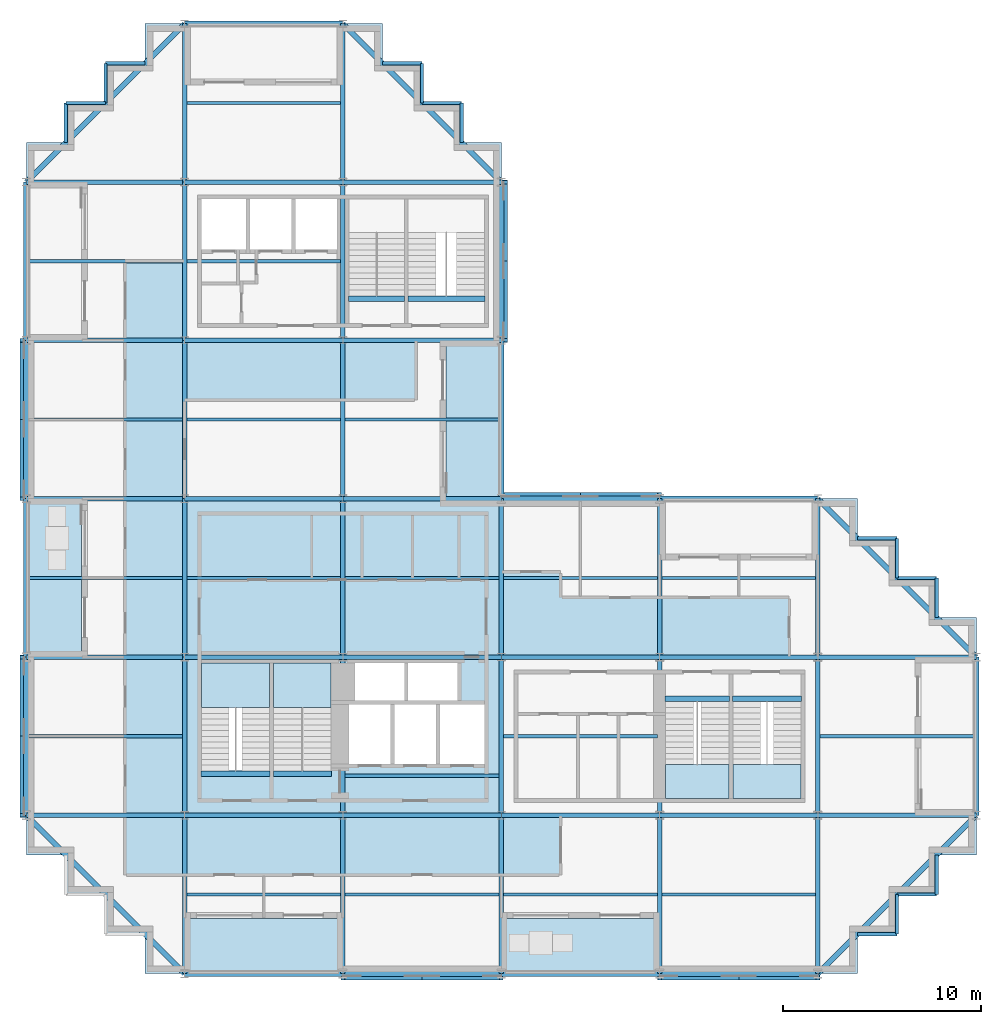
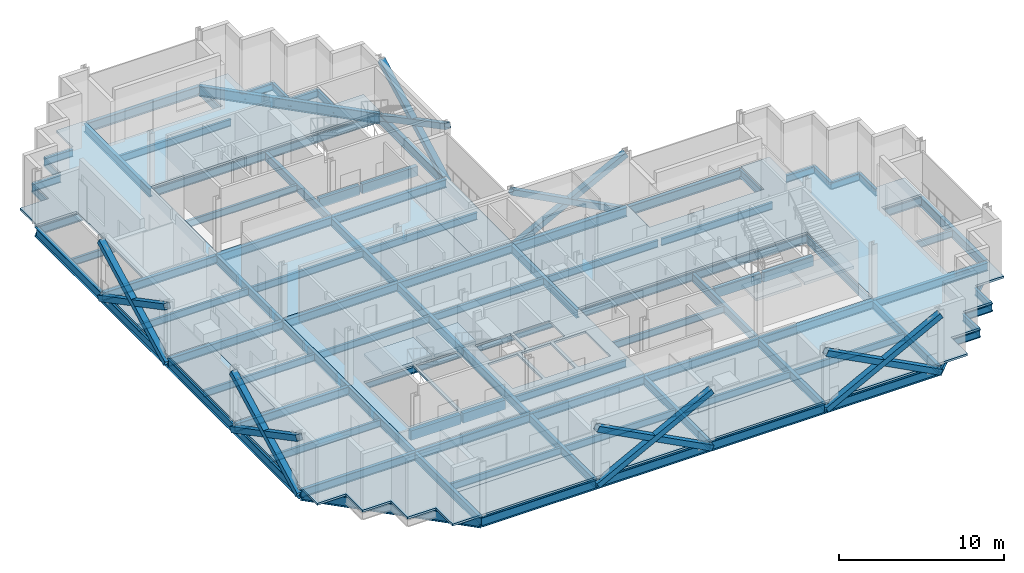
# One storey, part 3 of 12: 102 beams, 12 members, 10 slabs, 4 elements without a shape of their own.
"""IFC4 building model written with IfcOpenShell, lengths in metres."""

from ifc_helpers import new_model, si_unit, direction, frame, origin, origin_2d, place, context, subcontext, project, spatial, polyline, rectangle, hollow_rectangle, i_section, outline, extrude, material, layer, layer_set, material_profile, profile_set, type_object, element, aggregate, save


model = new_model("IFC4")

# Units and contexts
model_context = context("Model", 3, precision=1e-05, world=origin(), true_north=direction((0.0, 1.0)))
body_context = subcontext(model_context, "Body", "Model", "MODEL_VIEW")
ifc_project = project(units=[si_unit("LENGTHUNIT", "METRE"), si_unit("AREAUNIT", "SQUARE_METRE"), si_unit("VOLUMEUNIT", "CUBIC_METRE"), si_unit("PLANEANGLEUNIT", "RADIAN"), si_unit("MASSUNIT", "GRAM", prefix="KILO")], contexts=[model_context])

# Site, building, storey
site_placement = place(None, origin())
site = spatial("IfcSite", under=ifc_project, at=site_placement, CompositionType="ELEMENT")
building_placement = place(site_placement, origin())
building = spatial("IfcBuilding", under=site, at=building_placement, Name="Immortelle Media Tower", CompositionType="ELEMENT")
storey_placement = place(building_placement, frame((0.0, 0.0, 136.800048828125)))
storey = spatial("IfcBuildingStorey", under=building, at=storey_placement, Name="L27", CompositionType="ELEMENT", Elevation=136.800048828125)

# Members
ifc_material_1 = material(Name="Steel ASTM A500 Gr C", Category="steel")
ifc_material_profile_1 = material_profile(ifc_material_1, hollow_rectangle(XDim=0.406005859375, YDim=0.406005859375, WallThickness=0.011962890625, at=origin_2d()), Name="HSS16x16x1/2 brace")
ifc_profile_set_1 = profile_set([ifc_material_profile_1], Name="Steel ASTM A500 Gr C")
member_type = type_object("IfcMemberType", Name="HSS16x16x1/2 brace", PredefinedType="BRACE", material=ifc_profile_set_1)
for number, where, z_axis, x_axis, name in (
    (1, (16.0, -0.113037109375, -0.49658203125), (0.885400126936, 0.0, 0.464829662588), (0.0, 1.0, 0.0), "Brace A/3-4 A"),
    (2, (16.0, -0.113037109375, 3.703369140625), (0.885400126936, 0.0, -0.464829662588), (0.0, 1.0, 0.0), "Brace A/3-4 B"),
    (3, (32.0, -0.113037109375, -0.49658203125), (0.885400126936, 0.0, 0.464829662588), (0.0, 1.0, 0.0), "Brace A/5-6 A"),
    (4, (32.0, -0.113037109375, 3.703369140625), (0.885400126936, 0.0, -0.464829662588), (0.0, 1.0, 0.0), "Brace A/5-6 B"),
    (5, (32.0, 24.113037109375, -0.49658203125), (-0.885400126936, 0.0, 0.464829662588), (0.0, -1.0, 0.0), "Brace D/4-5 A"),
    (6, (32.0, 24.113037109375, 3.703369140625), (-0.885400126936, 0.0, -0.464829662588), (0.0, -1.0, 0.0), "Brace D/4-5 B"),
    (7, (24.113037109375, 32.0, -0.49658203125), (0.0, 0.885400126936, 0.464829662588), (-1.0, 0.0, 0.0), "Brace 4/E-F A"),
    (8, (24.113037109375, 32.0, 3.703369140625), (0.0, 0.885400126936, -0.464829662588), (-1.0, 0.0, 0.0), "Brace 4/E-F B"),
    (9, (-0.113037109375, 32.0, -0.49658203125), (0.0, -0.885400126936, 0.464829662588), (1.0, 0.0, 0.0), "Brace 1/D-E A"),
    (10, (-0.113037109375, 32.0, 3.703369140625), (0.0, -0.885400126936, -0.464829662588), (1.0, 0.0, 0.0), "Brace 1/D-E B"),
    (11, (-0.113037109375, 16.0, -0.49658203125), (0.0, -0.885400126936, 0.464829662588), (1.0, 0.0, 0.0), "Brace 1/B-C A"),
    (12, (-0.113037109375, 16.0, 3.703369140625), (0.0, -0.885400126936, -0.464829662588), (1.0, 0.0, 0.0), "Brace 1/B-C B"),
):
    element("IfcMember", number, at=place(storey_placement, frame(where, z_axis=z_axis, x_axis=x_axis)), inside=storey, type_object=member_type, Name=name, PredefinedType="BRACE", context=body_context, shape_type="SweptSolid", body=[
        extrude(hollow_rectangle(XDim=0.406005859375, YDim=0.406005859375, WallThickness=0.011962890625, at=origin_2d()), origin(), (0.0, 0.0, 1.0), 9.035400390625),
    ])

# Beams
ifc_material_2 = material(Name="Concrete C50/60", Category="concrete")
ifc_material_profile_2 = material_profile(ifc_material_2, rectangle(XDim=0.300048828125, YDim=0.699951171875, at=origin_2d()), Name="RC 300x700")
ifc_profile_set_2 = profile_set([ifc_material_profile_2], Name="Concrete C50/60")
beam_type_1 = type_object("IfcBeamType", Name="Stair trimmer beam 300 x 700", PredefinedType="BEAM", material=ifc_profile_set_2)
beam_1_placement = place(storey_placement, frame((8.830078125, 10.10498046875, -0.5), z_axis=(1.0, 0.0, 0.0), x_axis=(0.0, 1.0, 0.0)))
element("IfcBeam", 13, at=beam_1_placement, inside=storey, type_object=beam_type_1, Name="Stair trimmer beam SW1", PredefinedType="BEAM", context=body_context, shape_type="SweptSolid", body=[
    extrude(rectangle(XDim=0.300048828125, YDim=0.699951171875, at=origin_2d()), origin(), (0.0, 0.0, 1.0), 3.489990234375),
])
beam_2_placement = place(storey_placement, frame((12.47998046875, 10.10498046875, -0.5), z_axis=(1.0, 0.0, 0.0), x_axis=(0.0, 1.0, 0.0)))
element("IfcBeam", 14, at=beam_2_placement, inside=storey, type_object=beam_type_1, Name="Stair trimmer beam SW2", PredefinedType="BEAM", context=body_context, shape_type="SweptSolid", body=[
    extrude(rectangle(XDim=0.300048828125, YDim=0.699951171875, at=origin_2d()), origin(), (0.0, 0.0, 1.0), 2.93994140625),
])
beam_3_placement = place(storey_placement, frame((32.280029296875, 13.89501953125, -0.5), z_axis=(1.0, 0.0, 0.0), x_axis=(0.0, 1.0, 0.0)))
element("IfcBeam", 15, at=beam_3_placement, inside=storey, type_object=beam_type_1, Name="Stair trimmer beam SE1", PredefinedType="BEAM", context=body_context, shape_type="SweptSolid", body=[
    extrude(rectangle(XDim=0.300048828125, YDim=0.699951171875, at=origin_2d()), origin(), (0.0, 0.0, 1.0), 3.239990234375),
])
beam_4_placement = place(storey_placement, frame((35.679931640625, 13.89501953125, -0.5), z_axis=(1.0, 0.0, 0.0), x_axis=(0.0, 1.0, 0.0)))
element("IfcBeam", 16, at=beam_4_placement, inside=storey, type_object=beam_type_1, Name="Stair trimmer beam SE2", PredefinedType="BEAM", context=body_context, shape_type="SweptSolid", body=[
    extrude(rectangle(XDim=0.300048828125, YDim=0.699951171875, at=origin_2d()), origin(), (0.0, 0.0, 1.0), 3.489990234375),
])
beam_5_placement = place(storey_placement, frame((16.280029296875, 34.10498046875, -0.5), z_axis=(1.0, 0.0, 0.0), x_axis=(0.0, 1.0, 0.0)))
element("IfcBeam", 17, at=beam_5_placement, inside=storey, type_object=beam_type_1, Name="Stair trimmer beam NW1", PredefinedType="BEAM", context=body_context, shape_type="SweptSolid", body=[
    extrude(rectangle(XDim=0.300048828125, YDim=0.699951171875, at=origin_2d()), origin(), (0.0, 0.0, 1.0), 2.840087890625),
])
beam_6_placement = place(storey_placement, frame((19.280029296875, 34.10498046875, -0.5), z_axis=(1.0, 0.0, 0.0), x_axis=(0.0, 1.0, 0.0)))
element("IfcBeam", 18, at=beam_6_placement, inside=storey, type_object=beam_type_1, Name="Stair trimmer beam NW2", PredefinedType="BEAM", context=body_context, shape_type="SweptSolid", body=[
    extrude(rectangle(XDim=0.300048828125, YDim=0.699951171875, at=origin_2d()), origin(), (0.0, 0.0, 1.0), 3.889892578125),
])
ifc_material_3 = material(Name="Steel ASTM A992 Gr 50", Category="steel")
ifc_material_profile_3 = material_profile(ifc_material_3, i_section(OverallWidth=0.1650390625, OverallDepth=0.52587890625, WebThickness=0.009033203125, FlangeThickness=0.010986328125, at=origin_2d()), Name="W21x44")
ifc_profile_set_3 = profile_set([ifc_material_profile_3], Name="Steel ASTM A992 Gr 50")
beam_type_2 = type_object("IfcBeamType", Name="W21x44 secondary beam", PredefinedType="JOIST", material=ifc_profile_set_3)
for number, where, z_axis, x_axis, name in (
    (19, (8.114501953125, 4.0, -0.4130859375), (1.0, 0.0, 0.0), (0.0, 1.0, 0.0), "Beam A-B/2-3"),
    (20, (16.114501953125, 4.0, -0.4130859375), (1.0, 0.0, 0.0), (0.0, 1.0, 0.0), "Beam A-B/3-4"),
    (21, (24.114501953125, 4.0, -0.4130859375), (1.0, 0.0, 0.0), (0.0, 1.0, 0.0), "Beam A-B/4-5"),
    (22, (32.114501953125, 4.0, -0.4130859375), (1.0, 0.0, 0.0), (0.0, 1.0, 0.0), "Beam A-B/5-6"),
):
    element("IfcBeam", number, at=place(storey_placement, frame(where, z_axis=z_axis, x_axis=x_axis)), inside=storey, type_object=beam_type_2, Name=name, PredefinedType="JOIST", context=body_context, shape_type="SweptSolid", body=[
        extrude(i_section(OverallWidth=0.1650390625, OverallDepth=0.52587890625, WebThickness=0.009033203125, FlangeThickness=0.010986328125, at=origin_2d()), origin(), (0.0, 0.0, 1.0), 7.77099609375),
    ])
beam_7_placement = place(storey_placement, frame((0.12841796875, 12.0, -0.4130859375), z_axis=(1.0, 0.0, 0.0), x_axis=(0.0, 1.0, 0.0)))
element("IfcBeam", 23, at=beam_7_placement, inside=storey, type_object=beam_type_2, Name="Beam B-C/1-2", PredefinedType="JOIST", context=body_context, shape_type="SweptSolid", body=[
    extrude(i_section(OverallWidth=0.1650390625, OverallDepth=0.52587890625, WebThickness=0.009033203125, FlangeThickness=0.010986328125, at=origin_2d()), origin(), (0.0, 0.0, 1.0), 7.757080078125),
])
for number, where, z_axis, x_axis, name in (
    (24, (16.114501953125, 10.0, -0.4130859375), (1.0, 0.0, 0.0), (0.0, 1.0, 0.0), "Beam B-C/3-4"),
    (25, (24.114501953125, 12.0, -0.4130859375), (1.0, 0.0, 0.0), (0.0, 1.0, 0.0), "Beam B-C/4-5"),
):
    element("IfcBeam", number, at=place(storey_placement, frame(where, z_axis=z_axis, x_axis=x_axis)), inside=storey, type_object=beam_type_2, Name=name, PredefinedType="JOIST", context=body_context, shape_type="SweptSolid", body=[
        extrude(i_section(OverallWidth=0.1650390625, OverallDepth=0.52587890625, WebThickness=0.009033203125, FlangeThickness=0.010986328125, at=origin_2d()), origin(), (0.0, 0.0, 1.0), 7.77099609375),
    ])
for number, where, z_axis, x_axis, name in (
    (26, (40.114501953125, 12.0, -0.4130859375), (1.0, 0.0, 0.0), (0.0, 1.0, 0.0), "Beam B-C/6-7"),
    (27, (0.12841796875, 20.0, -0.4130859375), (1.0, 0.0, 0.0), (0.0, 1.0, 0.0), "Beam C-D/1-2"),
):
    element("IfcBeam", number, at=place(storey_placement, frame(where, z_axis=z_axis, x_axis=x_axis)), inside=storey, type_object=beam_type_2, Name=name, PredefinedType="JOIST", context=body_context, shape_type="SweptSolid", body=[
        extrude(i_section(OverallWidth=0.1650390625, OverallDepth=0.52587890625, WebThickness=0.009033203125, FlangeThickness=0.010986328125, at=origin_2d()), origin(), (0.0, 0.0, 1.0), 7.757080078125),
    ])
for number, where, z_axis, x_axis, name in (
    (28, (8.114501953125, 20.0, -0.4130859375), (1.0, 0.0, 0.0), (0.0, 1.0, 0.0), "Beam C-D/2-3"),
    (29, (16.114501953125, 20.0, -0.4130859375), (1.0, 0.0, 0.0), (0.0, 1.0, 0.0), "Beam C-D/3-4"),
    (30, (24.114501953125, 20.0, -0.4130859375), (1.0, 0.0, 0.0), (0.0, 1.0, 0.0), "Beam C-D/4-5"),
    (31, (32.114501953125, 20.0, -0.4130859375), (1.0, 0.0, 0.0), (0.0, 1.0, 0.0), "Beam C-D/5-6"),
):
    element("IfcBeam", number, at=place(storey_placement, frame(where, z_axis=z_axis, x_axis=x_axis)), inside=storey, type_object=beam_type_2, Name=name, PredefinedType="JOIST", context=body_context, shape_type="SweptSolid", body=[
        extrude(i_section(OverallWidth=0.1650390625, OverallDepth=0.52587890625, WebThickness=0.009033203125, FlangeThickness=0.010986328125, at=origin_2d()), origin(), (0.0, 0.0, 1.0), 7.77099609375),
    ])
beam_8_placement = place(storey_placement, frame((0.12841796875, 28.0, -0.4130859375), z_axis=(1.0, 0.0, 0.0), x_axis=(0.0, 1.0, 0.0)))
element("IfcBeam", 32, at=beam_8_placement, inside=storey, type_object=beam_type_2, Name="Beam D-E/1-2", PredefinedType="JOIST", context=body_context, shape_type="SweptSolid", body=[
    extrude(i_section(OverallWidth=0.1650390625, OverallDepth=0.52587890625, WebThickness=0.009033203125, FlangeThickness=0.010986328125, at=origin_2d()), origin(), (0.0, 0.0, 1.0), 7.757080078125),
])
beam_9_placement = place(storey_placement, frame((8.114501953125, 28.0, -0.4130859375), z_axis=(1.0, 0.0, 0.0), x_axis=(0.0, 1.0, 0.0)))
element("IfcBeam", 33, at=beam_9_placement, inside=storey, type_object=beam_type_2, Name="Beam D-E/2-3", PredefinedType="JOIST", context=body_context, shape_type="SweptSolid", body=[
    extrude(i_section(OverallWidth=0.1650390625, OverallDepth=0.52587890625, WebThickness=0.009033203125, FlangeThickness=0.010986328125, at=origin_2d()), origin(), (0.0, 0.0, 1.0), 7.77099609375),
])
for number, where, z_axis, x_axis, name in (
    (34, (16.114501953125, 28.0, -0.4130859375), (1.0, 0.0, 0.0), (0.0, 1.0, 0.0), "Beam D-E/3-4"),
    (35, (0.12841796875, 36.0, -0.4130859375), (1.0, 0.0, 0.0), (0.0, 1.0, 0.0), "Beam E-F/1-2"),
):
    element("IfcBeam", number, at=place(storey_placement, frame(where, z_axis=z_axis, x_axis=x_axis)), inside=storey, type_object=beam_type_2, Name=name, PredefinedType="JOIST", context=body_context, shape_type="SweptSolid", body=[
        extrude(i_section(OverallWidth=0.1650390625, OverallDepth=0.52587890625, WebThickness=0.009033203125, FlangeThickness=0.010986328125, at=origin_2d()), origin(), (0.0, 0.0, 1.0), 7.757080078125),
    ])
for number, where, z_axis, x_axis, name in (
    (36, (8.114501953125, 36.0, -0.4130859375), (1.0, 0.0, 0.0), (0.0, 1.0, 0.0), "Beam E-F/2-3"),
    (37, (8.114501953125, 44.0, -0.4130859375), (1.0, 0.0, 0.0), (0.0, 1.0, 0.0), "Beam F-G/2-3"),
):
    element("IfcBeam", number, at=place(storey_placement, frame(where, z_axis=z_axis, x_axis=x_axis)), inside=storey, type_object=beam_type_2, Name=name, PredefinedType="JOIST", context=body_context, shape_type="SweptSolid", body=[
        extrude(i_section(OverallWidth=0.1650390625, OverallDepth=0.52587890625, WebThickness=0.009033203125, FlangeThickness=0.010986328125, at=origin_2d()), origin(), (0.0, 0.0, 1.0), 7.77099609375),
    ])
ifc_material_profile_4 = material_profile(ifc_material_3, i_section(OverallWidth=0.1650390625, OverallDepth=0.52587890625, WebThickness=0.009033203125, FlangeThickness=0.010986328125, at=origin_2d()), Name="W21x44")
ifc_profile_set_4 = profile_set([ifc_material_profile_4], Name="Steel ASTM A992 Gr 50")
beam_type_3 = type_object("IfcBeamType", Name="W21x44 serration edge beam", PredefinedType="SPANDREL", material=ifc_profile_set_4)
for number, where, z_axis, x_axis, name in (
    (38, (2.0, 42.0, -0.4130859375), (0.0, 1.0, 0.0), (-1.0, 0.0, 0.0), "Corner edge beam 1 at 1/G"),
    (39, (2.0, 44.0, -0.4130859375), (1.0, 0.0, 0.0), (0.0, 1.0, 0.0), "Corner edge beam 2 at 1/G"),
    (40, (4.0, 44.0, -0.4130859375), (0.0, 1.0, 0.0), (-1.0, 0.0, 0.0), "Corner edge beam 3 at 1/G"),
    (41, (4.0, 46.0, -0.4130859375), (1.0, 0.0, 0.0), (0.0, 1.0, 0.0), "Corner edge beam 4 at 1/G"),
    (42, (18.0, 46.0, -0.4130859375), (1.0, 0.0, 0.0), (0.0, 1.0, 0.0), "Corner edge beam 1 at 4/G"),
    (43, (20.0, 46.0, -0.4130859375), (0.0, -1.0, 0.0), (1.0, 0.0, 0.0), "Corner edge beam 2 at 4/G"),
    (44, (20.0, 44.0, -0.4130859375), (1.0, 0.0, 0.0), (0.0, 1.0, 0.0), "Corner edge beam 3 at 4/G"),
    (45, (22.0, 44.0, -0.4130859375), (0.0, -1.0, 0.0), (1.0, 0.0, 0.0), "Corner edge beam 4 at 4/G"),
    (46, (46.0, 6.0, -0.4130859375), (0.0, -1.0, 0.0), (1.0, 0.0, 0.0), "Corner edge beam 1 at 7/A"),
    (47, (46.0, 4.0, -0.4130859375), (-1.0, 0.0, 0.0), (0.0, -1.0, 0.0), "Corner edge beam 2 at 7/A"),
    (48, (44.0, 4.0, -0.4130859375), (0.0, -1.0, 0.0), (1.0, 0.0, 0.0), "Corner edge beam 3 at 7/A"),
    (49, (44.0, 2.0, -0.4130859375), (-1.0, 0.0, 0.0), (0.0, -1.0, 0.0), "Corner edge beam 4 at 7/A"),
    (50, (42.0, 22.0, -0.4130859375), (1.0, 0.0, 0.0), (0.0, 1.0, 0.0), "Corner edge beam 1 at 7/D"),
    (51, (44.0, 22.0, -0.4130859375), (0.0, -1.0, 0.0), (1.0, 0.0, 0.0), "Corner edge beam 2 at 7/D"),
    (52, (44.0, 20.0, -0.4130859375), (1.0, 0.0, 0.0), (0.0, 1.0, 0.0), "Corner edge beam 3 at 7/D"),
    (53, (46.0, 20.0, -0.4130859375), (0.0, -1.0, 0.0), (1.0, 0.0, 0.0), "Corner edge beam 4 at 7/D"),
):
    element("IfcBeam", number, at=place(storey_placement, frame(where, z_axis=z_axis, x_axis=x_axis)), inside=storey, type_object=beam_type_3, Name=name, PredefinedType="SPANDREL", context=body_context, shape_type="SweptSolid", body=[
        extrude(i_section(OverallWidth=0.1650390625, OverallDepth=0.52587890625, WebThickness=0.009033203125, FlangeThickness=0.010986328125, at=origin_2d()), origin(), (0.0, 0.0, 1.0), 2.0),
    ])
ifc_material_profile_5 = material_profile(ifc_material_3, i_section(OverallWidth=0.22900390625, OverallDepth=0.612060546875, WebThickness=0.011962890625, FlangeThickness=0.02001953125, at=origin_2d()), Name="W24x84")
ifc_profile_set_5 = profile_set([ifc_material_profile_5], Name="Steel ASTM A992 Gr 50")
beam_type_4 = type_object("IfcBeamType", Name="W24x84 girder", PredefinedType="BEAM", material=ifc_profile_set_5)
for number, where, z_axis, x_axis, name in (
    (54, (0.0, 8.0, -0.4560546875), (1.0, 0.0, 0.0), (0.0, 1.0, 0.0), "Girder B/1-2"),
    (55, (0.0, 16.0, -0.4560546875), (1.0, 0.0, 0.0), (0.0, 1.0, 0.0), "Girder C/1-2"),
    (56, (0.0, 24.0, -0.4560546875), (1.0, 0.0, 0.0), (0.0, 1.0, 0.0), "Girder D/1-2"),
    (57, (0.0, 32.0, -0.4560546875), (1.0, 0.0, 0.0), (0.0, 1.0, 0.0), "Girder E/1-2"),
    (58, (0.0, 40.0, -0.4560546875), (1.0, 0.0, 0.0), (0.0, 1.0, 0.0), "Girder F/1-2"),
    (59, (8.0, 0.0, -0.4560546875), (0.0, 1.0, 0.0), (-1.0, 0.0, 0.0), "Girder 2/A-B"),
    (60, (8.0, 8.0, -0.4560546875), (1.0, 0.0, 0.0), (0.0, 1.0, 0.0), "Girder B/2-3"),
    (61, (8.0, 8.0, -0.4560546875), (0.0, 1.0, 0.0), (-1.0, 0.0, 0.0), "Girder 2/B-C"),
    (62, (8.0, 16.0, -0.4560546875), (1.0, 0.0, 0.0), (0.0, 1.0, 0.0), "Girder C/2-3"),
    (63, (8.0, 16.0, -0.4560546875), (0.0, 1.0, 0.0), (-1.0, 0.0, 0.0), "Girder 2/C-D"),
    (64, (8.0, 24.0, -0.4560546875), (1.0, 0.0, 0.0), (0.0, 1.0, 0.0), "Girder D/2-3"),
    (65, (8.0, 24.0, -0.4560546875), (0.0, 1.0, 0.0), (-1.0, 0.0, 0.0), "Girder 2/D-E"),
    (66, (8.0, 32.0, -0.4560546875), (1.0, 0.0, 0.0), (0.0, 1.0, 0.0), "Girder E/2-3"),
    (67, (8.0, 32.0, -0.4560546875), (0.0, 1.0, 0.0), (-1.0, 0.0, 0.0), "Girder 2/E-F"),
    (68, (8.0, 40.0, -0.4560546875), (1.0, 0.0, 0.0), (0.0, 1.0, 0.0), "Girder F/2-3"),
    (69, (8.0, 40.0, -0.4560546875), (0.0, 1.0, 0.0), (-1.0, 0.0, 0.0), "Girder 2/F-G"),
    (70, (16.0, 0.0, -0.4560546875), (0.0, 1.0, 0.0), (-1.0, 0.0, 0.0), "Girder 3/A-B"),
    (71, (16.0, 8.0, -0.4560546875), (1.0, 0.0, 0.0), (0.0, 1.0, 0.0), "Girder B/3-4"),
    (72, (16.0, 8.0, -0.4560546875), (0.0, 1.0, 0.0), (-1.0, 0.0, 0.0), "Girder 3/B-C"),
    (73, (16.0, 16.0, -0.4560546875), (1.0, 0.0, 0.0), (0.0, 1.0, 0.0), "Girder C/3-4"),
    (74, (16.0, 16.0, -0.4560546875), (0.0, 1.0, 0.0), (-1.0, 0.0, 0.0), "Girder 3/C-D"),
    (75, (16.0, 24.0, -0.4560546875), (1.0, 0.0, 0.0), (0.0, 1.0, 0.0), "Girder D/3-4"),
    (76, (16.0, 24.0, -0.4560546875), (0.0, 1.0, 0.0), (-1.0, 0.0, 0.0), "Girder 3/D-E"),
    (77, (16.0, 32.0, -0.4560546875), (1.0, 0.0, 0.0), (0.0, 1.0, 0.0), "Girder E/3-4"),
    (78, (16.0, 32.0, -0.4560546875), (0.0, 1.0, 0.0), (-1.0, 0.0, 0.0), "Girder 3/E-F"),
    (79, (16.0, 40.0, -0.4560546875), (1.0, 0.0, 0.0), (0.0, 1.0, 0.0), "Girder F/3-4"),
    (80, (16.0, 40.0, -0.4560546875), (0.0, 1.0, 0.0), (-1.0, 0.0, 0.0), "Girder 3/F-G"),
    (81, (24.0, 0.0, -0.4560546875), (0.0, 1.0, 0.0), (-1.0, 0.0, 0.0), "Girder 4/A-B"),
    (82, (24.0, 8.0, -0.4560546875), (1.0, 0.0, 0.0), (0.0, 1.0, 0.0), "Girder B/4-5"),
    (83, (24.0, 8.0, -0.4560546875), (0.0, 1.0, 0.0), (-1.0, 0.0, 0.0), "Girder 4/B-C"),
    (84, (24.0, 16.0, -0.4560546875), (1.0, 0.0, 0.0), (0.0, 1.0, 0.0), "Girder C/4-5"),
    (85, (24.0, 16.0, -0.4560546875), (0.0, 1.0, 0.0), (-1.0, 0.0, 0.0), "Girder 4/C-D"),
    (86, (32.0, 0.0, -0.4560546875), (0.0, 1.0, 0.0), (-1.0, 0.0, 0.0), "Girder 5/A-B"),
    (87, (32.0, 8.0, -0.4560546875), (1.0, 0.0, 0.0), (0.0, 1.0, 0.0), "Girder B/5-6"),
    (88, (32.0, 8.0, -0.4560546875), (0.0, 1.0, 0.0), (-1.0, 0.0, 0.0), "Girder 5/B-C"),
    (89, (32.0, 16.0, -0.4560546875), (1.0, 0.0, 0.0), (0.0, 1.0, 0.0), "Girder C/5-6"),
    (90, (32.0, 16.0, -0.4560546875), (0.0, 1.0, 0.0), (-1.0, 0.0, 0.0), "Girder 5/C-D"),
    (91, (40.0, 0.0, -0.4560546875), (0.0, 1.0, 0.0), (-1.0, 0.0, 0.0), "Girder 6/A-B"),
    (92, (40.0, 8.0, -0.4560546875), (1.0, 0.0, 0.0), (0.0, 1.0, 0.0), "Girder B/6-7"),
    (93, (40.0, 8.0, -0.4560546875), (0.0, 1.0, 0.0), (-1.0, 0.0, 0.0), "Girder 6/B-C"),
    (94, (40.0, 16.0, -0.4560546875), (1.0, 0.0, 0.0), (0.0, 1.0, 0.0), "Girder C/6-7"),
    (95, (40.0, 16.0, -0.4560546875), (0.0, 1.0, 0.0), (-1.0, 0.0, 0.0), "Girder 6/C-D"),
):
    element("IfcBeam", number, at=place(storey_placement, frame(where, z_axis=z_axis, x_axis=x_axis)), inside=storey, type_object=beam_type_4, Name=name, PredefinedType="BEAM", context=body_context, shape_type="SweptSolid", body=[
        extrude(i_section(OverallWidth=0.22900390625, OverallDepth=0.612060546875, WebThickness=0.011962890625, FlangeThickness=0.02001953125, at=origin_2d()), origin(), (0.0, 0.0, 1.0), 8.0),
    ])
ifc_material_profile_6 = material_profile(ifc_material_3, i_section(OverallWidth=0.257080078125, OverallDepth=0.693115234375, WebThickness=0.013916015625, FlangeThickness=0.02392578125, at=origin_2d()), Name="W27x114")
ifc_profile_set_6 = profile_set([ifc_material_profile_6], Name="Steel ASTM A992 Gr 50")
beam_type_5 = type_object("IfcBeamType", Name="W27x114 perimeter girder", PredefinedType="SPANDREL", material=ifc_profile_set_6)
for number, where, z_axis, x_axis, name in (
    (96, (0.0, 8.0, -0.49658203125), (0.0, 1.0, 0.0), (-1.0, 0.0, 0.0), "Girder 1/B-C"),
    (97, (0.0, 16.0, -0.49658203125), (0.0, 1.0, 0.0), (-1.0, 0.0, 0.0), "Girder 1/C-D"),
    (98, (0.0, 24.0, -0.49658203125), (0.0, 1.0, 0.0), (-1.0, 0.0, 0.0), "Girder 1/D-E"),
    (99, (0.0, 32.0, -0.49658203125), (0.0, 1.0, 0.0), (-1.0, 0.0, 0.0), "Girder 1/E-F"),
    (100, (8.0, 0.0, -0.49658203125), (1.0, 0.0, 0.0), (0.0, 1.0, 0.0), "Girder A/2-3"),
    (101, (8.0, 48.0, -0.49658203125), (1.0, 0.0, 0.0), (0.0, 1.0, 0.0), "Girder G/2-3"),
    (102, (16.0, 0.0, -0.49658203125), (1.0, 0.0, 0.0), (0.0, 1.0, 0.0), "Girder A/3-4"),
    (103, (24.0, 0.0, -0.49658203125), (1.0, 0.0, 0.0), (0.0, 1.0, 0.0), "Girder A/4-5"),
    (104, (24.0, 24.0, -0.49658203125), (1.0, 0.0, 0.0), (0.0, 1.0, 0.0), "Girder D/4-5"),
    (105, (24.0, 24.0, -0.49658203125), (0.0, 1.0, 0.0), (-1.0, 0.0, 0.0), "Girder 4/D-E"),
    (106, (24.0, 32.0, -0.49658203125), (0.0, 1.0, 0.0), (-1.0, 0.0, 0.0), "Girder 4/E-F"),
    (107, (32.0, 0.0, -0.49658203125), (1.0, 0.0, 0.0), (0.0, 1.0, 0.0), "Girder A/5-6"),
    (108, (32.0, 24.0, -0.49658203125), (1.0, 0.0, 0.0), (0.0, 1.0, 0.0), "Girder D/5-6"),
    (109, (48.0, 8.0, -0.49658203125), (0.0, 1.0, 0.0), (-1.0, 0.0, 0.0), "Girder 7/B-C"),
):
    element("IfcBeam", number, at=place(storey_placement, frame(where, z_axis=z_axis, x_axis=x_axis)), inside=storey, type_object=beam_type_5, Name=name, PredefinedType="SPANDREL", context=body_context, shape_type="SweptSolid", body=[
        extrude(i_section(OverallWidth=0.257080078125, OverallDepth=0.693115234375, WebThickness=0.013916015625, FlangeThickness=0.02392578125, at=origin_2d()), origin(), (0.0, 0.0, 1.0), 8.0),
    ])
ifc_material_profile_7 = material_profile(ifc_material_3, i_section(OverallWidth=0.26708984375, OverallDepth=0.761962890625, WebThickness=0.013916015625, FlangeThickness=0.02197265625, at=origin_2d()), Name="W30x116")
ifc_profile_set_7 = profile_set([ifc_material_profile_7], Name="Steel ASTM A992 Gr 50")
beam_type_6 = type_object("IfcBeamType", Name="W30x116 corner girder", PredefinedType="SPANDREL", material=ifc_profile_set_7)
for number, where, z_axis, x_axis, name in (
    (110, (8.0, 0.0, -0.531005859375), (-0.707106781187, 0.707106781187, 0.0), (-0.707106781187, -0.707106781187, 0.0), "Corner girder at 1/A"),
    (111, (0.0, 40.0, -0.531005859375), (0.707106781187, 0.707106781187, 0.0), (-0.707106781187, 0.707106781187, 0.0), "Corner girder at 1/G"),
    (112, (16.0, 48.0, -0.531005859375), (0.707106781187, -0.707106781187, 0.0), (0.707106781187, 0.707106781187, 0.0), "Corner girder at 4/G"),
    (113, (48.0, 8.0, -0.531005859375), (-0.707106781187, -0.707106781187, 0.0), (0.707106781187, -0.707106781187, 0.0), "Corner girder at 7/A"),
    (114, (40.0, 24.0, -0.531005859375), (0.707106781187, -0.707106781187, 0.0), (0.707106781187, 0.707106781187, 0.0), "Corner girder at 7/D"),
):
    element("IfcBeam", number, at=place(storey_placement, frame(where, z_axis=z_axis, x_axis=x_axis)), inside=storey, type_object=beam_type_6, Name=name, PredefinedType="SPANDREL", context=body_context, shape_type="SweptSolid", body=[
        extrude(i_section(OverallWidth=0.26708984375, OverallDepth=0.761962890625, WebThickness=0.013916015625, FlangeThickness=0.02197265625, at=origin_2d()), origin(), (0.0, 0.0, 1.0), 11.313720703125),
    ])

# Slabs
ifc_material_4 = material(Name="Concrete C50/60 composite deck", Category="concrete")
ifc_layer_1 = layer(ifc_material_4, 0.14990234375)
ifc_layer_set_1 = layer_set([ifc_layer_1], Name="Concrete C50/60 composite deck")
slab_type_1 = type_object("IfcSlabType", Name="Balcony slab 150", PredefinedType="FLOOR", material=ifc_layer_set_1)
slab_1_placement = place(storey_placement, frame((0.0, 0.0, -0.150146484375)))
element("IfcSlab", 115, at=slab_1_placement, inside=storey, type_object=slab_type_1, Name="Balcony slab L27 S0", PredefinedType="FLOOR", context=body_context, shape_type="SweptSolid", body=[
    extrude(outline(polyline([(16.0, 0.0), (16.0, 2.800048828125), (8.0, 2.800048828125), (8.0, 0.0), (16.0, 0.0)])), origin(), (0.0, 0.0, 1.0), 0.150146484375),
])
slab_2_placement = place(storey_placement, frame((0.0, 0.0, -0.150146484375)))
element("IfcSlab", 116, at=slab_2_placement, inside=storey, type_object=slab_type_1, Name="Balcony slab L27 S2", PredefinedType="FLOOR", context=body_context, shape_type="SweptSolid", body=[
    extrude(outline(polyline([(32.0, 0.0), (32.0, 2.800048828125), (24.0, 2.800048828125), (24.0, 0.0), (32.0, 0.0)])), origin(), (0.0, 0.0, 1.0), 0.150146484375),
])
slab_3_placement = place(storey_placement, frame((0.0, 0.0, -0.150146484375)))
element("IfcSlab", 117, at=slab_3_placement, inside=storey, type_object=slab_type_1, Name="Balcony slab L27 E0", PredefinedType="FLOOR", context=body_context, shape_type="SweptSolid", body=[
    extrude(outline(polyline([(24.0, 24.0), (24.0, 32.0), (21.199951171875, 32.0), (21.199951171875, 24.0), (24.0, 24.0)])), origin(), (0.0, 0.0, 1.0), 0.150146484375),
])
slab_4_placement = place(storey_placement, frame((0.0, 0.0, -0.150146484375)))
element("IfcSlab", 118, at=slab_4_placement, inside=storey, type_object=slab_type_1, Name="Balcony slab L27 W2", PredefinedType="FLOOR", context=body_context, shape_type="SweptSolid", body=[
    extrude(outline(polyline([(2.800048828125, 16.0), (2.800048828125, 24.0), (0.0, 24.0), (0.0, 16.0), (2.800048828125, 16.0)])), origin(), (0.0, 0.0, 1.0), 0.150146484375),
])
ifc_layer_2 = layer(ifc_material_2, 0.14990234375)
ifc_layer_set_2 = layer_set([ifc_layer_2], Name="Concrete C50/60")
slab_type_2 = type_object("IfcSlabType", Name="Composite floor slab 150", PredefinedType="FLOOR", material=ifc_layer_set_2)
slab_5_placement = place(storey_placement, frame((0.0, 0.0, -0.150146484375)))
element("IfcSlab", 119, at=slab_5_placement, inside=storey, type_object=slab_type_2, Name="Floor slab L27", PredefinedType="FLOOR", context=body_context, shape_type="SweptSolid", body=[
    extrude(outline(polyline([(6.0, 0.0), (6.0, 2.0), (4.0, 2.0), (4.0, 4.0), (2.0, 4.0), (2.0, 6.0), (0.0, 6.0), (0.0, 16.0), (2.800048828125, 16.0), (2.800048828125, 24.0), (0.0, 24.0), (0.0, 32.0), (2.800048828125, 32.0), (2.800048828125, 40.0), (0.0, 40.0), (0.0, 42.0), (2.0, 42.0), (2.0, 44.0), (4.0, 44.0), (4.0, 46.0), (6.0, 46.0), (6.0, 48.0), (8.0, 48.0), (8.0, 45.199951171875), (16.0, 45.199951171875), (16.0, 48.0), (18.0, 48.0), (18.0, 46.0), (20.0, 46.0), (20.0, 44.0), (22.0, 44.0), (22.0, 42.0), (24.0, 42.0), (24.0, 40.0), (8.0, 40.0), (8.0, 32.0), (21.199951171875, 32.0), (21.199951171875, 24.0), (8.0, 24.0), (8.0, 8.0), (24.0, 8.0), (40.0, 8.0), (40.0, 16.0), (24.0, 16.0), (24.0, 24.0), (32.0, 24.0), (32.0, 21.199951171875), (40.0, 21.199951171875), (40.0, 24.0), (42.0, 24.0), (42.0, 22.0), (44.0, 22.0), (44.0, 20.0), (46.0, 20.0), (46.0, 18.0), (48.0, 18.0), (48.0, 16.0), (45.199951171875, 16.0), (45.199951171875, 8.0), (48.0, 8.0), (48.0, 6.0), (46.0, 6.0), (46.0, 4.0), (44.0, 4.0), (44.0, 2.0), (42.0, 2.0), (42.0, 0.0), (32.0, 0.0), (32.0, 2.800048828125), (24.0, 2.800048828125), (24.0, 0.0), (16.0, 0.0), (16.0, 2.800048828125), (8.0, 2.800048828125), (8.0, 0.0), (6.0, 0.0)])), origin(), (0.0, 0.0, 1.0), 0.150146484375),
])
ifc_layer_3 = layer(ifc_material_2, 0.14990234375)
ifc_layer_set_3 = layer_set([ifc_layer_3], Name="Concrete C50/60")
slab_type_3 = type_object("IfcSlabType", Name="Core floor slab 150", PredefinedType="FLOOR", material=ifc_layer_set_3)
slab_6_placement = place(storey_placement, frame((0.0, 0.0, -0.150146484375)))
element("IfcSlab", 120, at=slab_6_placement, inside=storey, type_object=slab_type_3, Name="Core floor SW", PredefinedType="FLOOR", context=body_context, shape_type="SweptSolid", body=[
    extrude(outline(polyline([(8.0, 8.0), (24.0, 8.0), (24.0, 24.0), (8.0, 24.0), (8.0, 8.0)]), holes=[polyline([(16.60009765625, 13.800048828125), (19.10009765625, 13.800048828125), (19.10009765625, 15.699951171875), (16.60009765625, 15.699951171875), (16.60009765625, 13.800048828125)]), polyline([(19.300048828125, 13.800048828125), (21.800048828125, 13.800048828125), (21.800048828125, 15.699951171875), (19.300048828125, 15.699951171875), (19.300048828125, 13.800048828125)]), polyline([(16.300048828125, 10.60009765625), (18.39990234375, 10.60009765625), (18.39990234375, 13.60009765625), (16.300048828125, 13.60009765625), (16.300048828125, 10.60009765625)]), polyline([(18.60009765625, 10.60009765625), (20.699951171875, 10.60009765625), (20.699951171875, 13.60009765625), (18.60009765625, 13.60009765625), (18.60009765625, 10.60009765625)]), polyline([(20.89990234375, 10.60009765625), (23.14990234375, 10.60009765625), (23.14990234375, 13.60009765625), (20.89990234375, 13.60009765625), (20.89990234375, 10.60009765625)]), polyline([(8.85009765625, 10.27001953125), (12.300048828125, 10.27001953125), (12.300048828125, 15.699951171875), (8.85009765625, 15.699951171875), (8.85009765625, 10.27001953125)]), polyline([(12.5, 10.27001953125), (15.39990234375, 10.27001953125), (15.39990234375, 15.699951171875), (12.5, 15.699951171875), (12.5, 10.27001953125)])]), origin(), (0.0, 0.0, 1.0), 0.150146484375),
])

# Stair, slab
stair_type = type_object("IfcStairType", Name="Stair with flights", PredefinedType="DOUBLE_RETURN_STAIR", material=ifc_material_3)
stair_1_placement = place(storey_placement, origin())
stair_1 = element("IfcStair", 121, at=stair_1_placement, inside=storey, type_object=stair_type, Name="Exit stair SW1", PredefinedType="DOUBLE_RETURN_STAIR")
ifc_material_5 = material(Name="Steel ASTM A572 Gr 50", Category="steel")
ifc_layer_4 = layer(ifc_material_5, 0.199951171875)
ifc_layer_set_4 = layer_set([ifc_layer_4], Name="Steel ASTM A572 Gr 50")
slab_type_4 = type_object("IfcSlabType", Name="Stair landing 200", PredefinedType="LANDING", material=ifc_layer_set_4)
slab_7_placement = place(storey_placement, frame((0.0, 0.0, 1.89990234375)))
slab_7 = element("IfcSlab", 122, at=slab_7_placement, type_object=slab_type_4, Name="ST SW1 landing 1", PredefinedType="LANDING", context=body_context, shape_type="SweptSolid", body=[
    extrude(outline(polyline([(8.85009765625, 13.43994140625), (12.300048828125, 13.43994140625), (12.300048828125, 15.699951171875), (8.85009765625, 15.699951171875), (8.85009765625, 13.43994140625)])), origin(), (0.0, 0.0, 1.0), 0.199951171875),
])
aggregate(stair_1, [slab_7])

stair_2_placement = place(storey_placement, origin())
stair_2 = element("IfcStair", 123, at=stair_2_placement, inside=storey, type_object=stair_type, Name="Exit stair SW2", PredefinedType="DOUBLE_RETURN_STAIR")
slab_8_placement = place(storey_placement, frame((0.0, 0.0, 1.89990234375)))
slab_8 = element("IfcSlab", 124, at=slab_8_placement, type_object=slab_type_4, Name="ST SW2 landing 1", PredefinedType="LANDING", context=body_context, shape_type="SweptSolid", body=[
    extrude(outline(polyline([(12.5, 13.43994140625), (15.39990234375, 13.43994140625), (15.39990234375, 15.699951171875), (12.5, 15.699951171875), (12.5, 13.43994140625)])), origin(), (0.0, 0.0, 1.0), 0.199951171875),
])
aggregate(stair_2, [slab_8])

stair_3_placement = place(storey_placement, origin())
stair_3 = element("IfcStair", 125, at=stair_3_placement, inside=storey, type_object=stair_type, Name="Exit stair SE1", PredefinedType="DOUBLE_RETURN_STAIR")
slab_9_placement = place(storey_placement, frame((0.0, 0.0, 1.89990234375)))
slab_9 = element("IfcSlab", 126, at=slab_9_placement, type_object=slab_type_4, Name="ST SE1 landing 1", PredefinedType="LANDING", context=body_context, shape_type="SweptSolid", body=[
    extrude(outline(polyline([(32.300048828125, 8.85009765625), (35.5, 8.85009765625), (35.5, 10.56005859375), (32.300048828125, 10.56005859375), (32.300048828125, 8.85009765625)])), origin(), (0.0, 0.0, 1.0), 0.199951171875),
])
aggregate(stair_3, [slab_9])

stair_4_placement = place(storey_placement, origin())
stair_4 = element("IfcStair", 127, at=stair_4_placement, inside=storey, type_object=stair_type, Name="Exit stair SE2", PredefinedType="DOUBLE_RETURN_STAIR")
slab_10_placement = place(storey_placement, frame((0.0, 0.0, 1.89990234375)))
slab_10 = element("IfcSlab", 128, at=slab_10_placement, type_object=slab_type_4, Name="ST SE2 landing 1", PredefinedType="LANDING", context=body_context, shape_type="SweptSolid", body=[
    extrude(outline(polyline([(35.699951171875, 8.85009765625), (39.14990234375, 8.85009765625), (39.14990234375, 10.56005859375), (35.699951171875, 10.56005859375), (35.699951171875, 8.85009765625)])), origin(), (0.0, 0.0, 1.0), 0.199951171875),
])
aggregate(stair_4, [slab_10])

save(model, "model.ifc")
